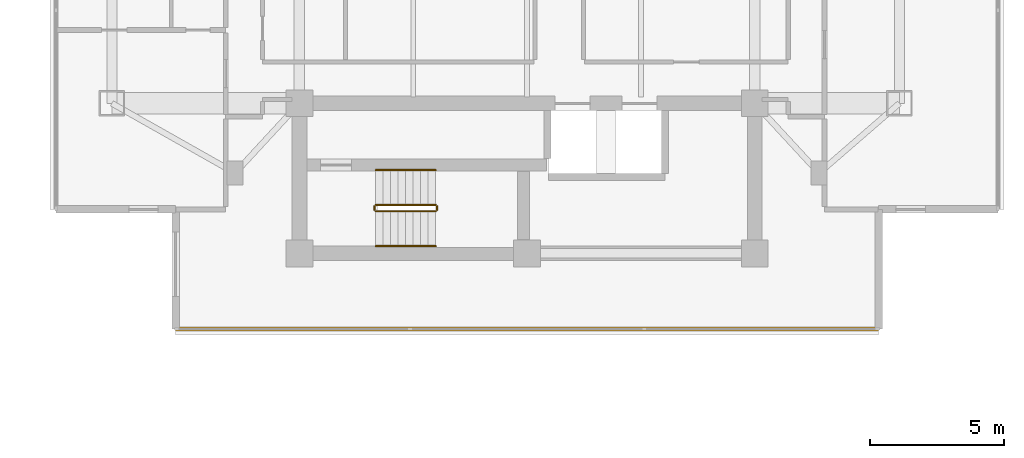
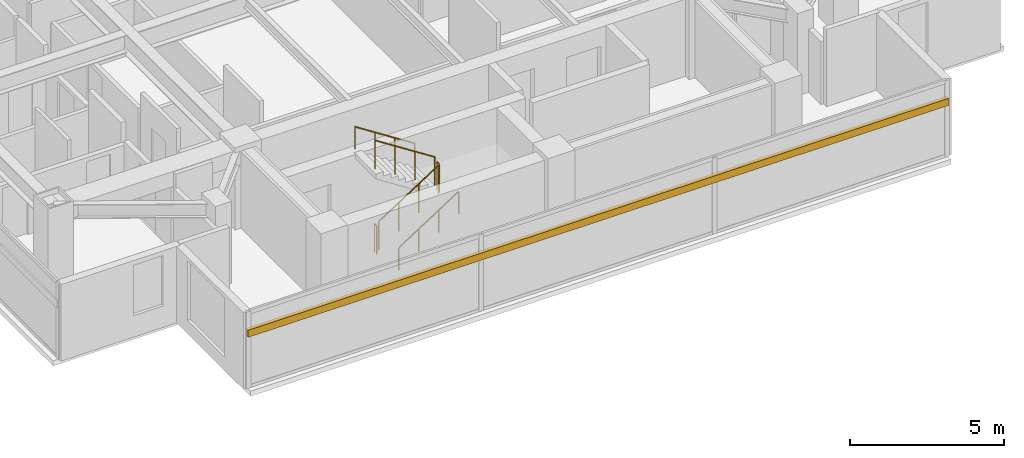
# One storey, part 22 of 24: 6 railings, 1 shading device.
"""IFC4 building model written with IfcOpenShell, lengths in metres."""

from ifc_helpers import new_model, si_unit, direction, frame, origin, origin_2d, place, context, subcontext, project, spatial, rectangle, circle, extrude, material, material_profile, profile_set, type_object, element, save


model = new_model("IFC4")

# Units and contexts
model_context = context("Model", 3, precision=1e-05, world=origin(), true_north=direction((0.0, 1.0)))
body_context = subcontext(model_context, "Body", "Model", "MODEL_VIEW")
ifc_project = project(units=[si_unit("LENGTHUNIT", "METRE"), si_unit("AREAUNIT", "SQUARE_METRE"), si_unit("VOLUMEUNIT", "CUBIC_METRE"), si_unit("PLANEANGLEUNIT", "RADIAN"), si_unit("MASSUNIT", "GRAM", prefix="KILO")], contexts=[model_context])

# Site, building, storey
site_placement = place(None, origin())
site = spatial("IfcSite", under=ifc_project, at=site_placement, CompositionType="ELEMENT")
building_placement = place(site_placement, origin())
building = spatial("IfcBuilding", under=site, at=building_placement, Name="Mirazonda Arch Towers", CompositionType="ELEMENT")
storey_placement = place(building_placement, frame((0.0, 0.0, 167.39990234375)))
storey = spatial("IfcBuildingStorey", under=building, at=storey_placement, Name="L47", CompositionType="ELEMENT", Elevation=167.39990234375)

# Shading device
ifc_material_1 = material(Name="Kiln-Fired Architectural Terracotta", Category="masonry")
ifc_material_profile = material_profile(ifc_material_1, rectangle(XDim=0.139892578125, YDim=0.280029296875, at=origin_2d()), Name="TERRA-BAG-140x280")
ifc_profile_set = profile_set([ifc_material_profile], Name="Kiln-Fired Architectural Terracotta")
shading_device_type = type_object("IfcShadingDeviceType", Name="BAGUETTE-3", PredefinedType="USERDEFINED", material=ifc_profile_set)
shading_device_placement = place(storey_placement, frame((89.619384765625, 12.375244140625, 2.181640625), z_axis=(-1.0, 0.0, 0.0), x_axis=(0.0, -1.0, 0.0)))
element("IfcShadingDevice", 1, at=shading_device_placement, inside=storey, type_object=shading_device_type, Name="L47 Glazed Terracotta Sun-Screen Baguette CW-L47-T2-S", ObjectType="BAGUETTE", PredefinedType="USERDEFINED", context=body_context, shape_type="SweptSolid", body=[
    extrude(rectangle(XDim=0.139892578125, YDim=0.280029296875, at=origin_2d()), origin(), (0.0, 0.0, 1.0), 26.23876953125),
])

# Railings
ifc_material_2 = material(Name="Architectural Brushed Steel S355", Category="steel")
railing_type_1 = type_object("IfcRailingType", Name="GUARD-STAIR-1120", PredefinedType="GUARDRAIL", material=ifc_material_2)
railing_1_placement = place(storey_placement, frame((70.85009765625, 16.77001953125, 0.1806640625)))
element("IfcRailing", 2, at=railing_1_placement, inside=storey, type_object=railing_type_1, Name="L47 ST-T2S stair guard 1", PredefinedType="GUARDRAIL", context=body_context, shape_type="SweptSolid", body=[
    extrude(circle(Radius=0.02392578125, at=origin_2d()), frame((0.0, 0.0, 1.1259765625), z_axis=(0.840436612492, 0.0, 0.541909863706), x_axis=(0.0, 1.0, 0.0)), (0.0, 0.0, 1.0), 2.665283203125),
    extrude(circle(Radius=0.02099609375, at=origin_2d()), origin(), (0.0, 0.0, 1.0), 1.101806640625),
    extrude(circle(Radius=0.02099609375, at=origin_2d()), frame((0.74658203125, 0.0, 0.4814453125)), (0.0, 0.0, 1.0), 1.101806640625),
    extrude(circle(Radius=0.02099609375, at=origin_2d()), frame((1.493408203125, 0.0, 0.962890625)), (0.0, 0.0, 1.0), 1.101806640625),
    extrude(circle(Radius=0.02099609375, at=origin_2d()), frame((2.239990234375, 0.0, 1.4443359375)), (0.0, 0.0, 1.0), 1.101806640625),
])
railing_2_placement = place(storey_placement, frame((73.139892578125, 16.820068359375, 1.625)))
element("IfcRailing", 3, at=railing_2_placement, inside=storey, type_object=railing_type_1, Name="L47 ST-T2S stair guard 2", PredefinedType="GUARDRAIL", context=body_context, shape_type="SweptSolid", body=[
    extrude(circle(Radius=0.02392578125, at=origin_2d()), frame((0.0, 0.0, 1.1259765625), z_axis=(0.0, 1.0, 0.0), x_axis=(-1.0, 0.0, 0.0)), (0.0, 0.0, 1.0), 0.139892578125),
    extrude(circle(Radius=0.02099609375, at=origin_2d()), origin(), (0.0, 0.0, 1.0), 1.101806640625),
    extrude(circle(Radius=0.02099609375, at=origin_2d()), frame((0.0, 0.139892578125, 0.0)), (0.0, 0.0, 1.0), 1.101806640625),
])
railing_3_placement = place(storey_placement, frame((73.090087890625, 17.010009765625, 1.8056640625)))
element("IfcRailing", 4, at=railing_3_placement, inside=storey, type_object=railing_type_1, Name="L47 ST-T2S stair guard 3", PredefinedType="GUARDRAIL", context=body_context, shape_type="SweptSolid", body=[
    extrude(circle(Radius=0.02392578125, at=origin_2d()), frame((0.0, 0.0, 1.1259765625), z_axis=(-0.840436612492, 0.0, 0.541909863706), x_axis=(0.0, -1.0, 0.0)), (0.0, 0.0, 1.0), 2.665283203125),
    extrude(circle(Radius=0.02099609375, at=origin_2d()), origin(), (0.0, 0.0, 1.0), 1.101806640625),
    extrude(circle(Radius=0.02099609375, at=origin_2d()), frame((-0.74658203125, 0.0, 0.4814453125)), (0.0, 0.0, 1.0), 1.101806640625),
    extrude(circle(Radius=0.02099609375, at=origin_2d()), frame((-1.493408203125, 0.0, 0.962890625)), (0.0, 0.0, 1.0), 1.101806640625),
    extrude(circle(Radius=0.02099609375, at=origin_2d()), frame((-2.239990234375, 0.0, 1.4443359375)), (0.0, 0.0, 1.0), 1.101806640625),
])
railing_4_placement = place(storey_placement, frame((70.800048828125, 16.820068359375, 0.0)))
element("IfcRailing", 5, at=railing_4_placement, inside=storey, type_object=railing_type_1, Name="L47 ST-T2S stair guard 4", PredefinedType="GUARDRAIL", context=body_context, shape_type="SweptSolid", body=[
    extrude(circle(Radius=0.02392578125, at=origin_2d()), frame((0.0, 0.0, 1.1259765625), z_axis=(0.0, 1.0, 0.0), x_axis=(-1.0, 0.0, 0.0)), (0.0, 0.0, 1.0), 0.139892578125),
    extrude(circle(Radius=0.02099609375, at=origin_2d()), origin(), (0.0, 0.0, 1.0), 1.101806640625),
    extrude(circle(Radius=0.02099609375, at=origin_2d()), frame((0.0, 0.139892578125, 0.0)), (0.0, 0.0, 1.0), 1.101806640625),
])
railing_type_2 = type_object("IfcRailingType", Name="HANDRAIL-915", PredefinedType="HANDRAIL", material=ifc_material_2)
railing_5_placement = place(storey_placement, frame((70.85009765625, 15.469970703125, 0.1806640625)))
element("IfcRailing", 6, at=railing_5_placement, inside=storey, type_object=railing_type_2, Name="L47 ST-T2S stair handrail 1", PredefinedType="HANDRAIL", context=body_context, shape_type="SweptSolid", body=[
    extrude(circle(Radius=0.02392578125, at=origin_2d()), frame((0.0, 0.0, 0.8759765625), z_axis=(0.840436612492, 0.0, 0.541909863706), x_axis=(0.0, 1.0, 0.0)), (0.0, 0.0, 1.0), 2.665283203125),
    extrude(circle(Radius=0.02099609375, at=origin_2d()), origin(), (0.0, 0.0, 1.0), 0.851806640625),
    extrude(circle(Radius=0.02099609375, at=origin_2d()), frame((0.74658203125, 0.0, 0.4814453125)), (0.0, 0.0, 1.0), 0.851806640625),
    extrude(circle(Radius=0.02099609375, at=origin_2d()), frame((1.493408203125, 0.0, 0.962890625)), (0.0, 0.0, 1.0), 0.851806640625),
    extrude(circle(Radius=0.02099609375, at=origin_2d()), frame((2.239990234375, 0.0, 1.4443359375)), (0.0, 0.0, 1.0), 0.851806640625),
])
railing_6_placement = place(storey_placement, frame((73.090087890625, 18.31005859375, 1.8056640625)))
element("IfcRailing", 7, at=railing_6_placement, inside=storey, type_object=railing_type_2, Name="L47 ST-T2S stair handrail 2", PredefinedType="HANDRAIL", context=body_context, shape_type="SweptSolid", body=[
    extrude(circle(Radius=0.02392578125, at=origin_2d()), frame((0.0, 0.0, 0.8759765625), z_axis=(-0.840436612492, 0.0, 0.541909863706), x_axis=(0.0, -1.0, 0.0)), (0.0, 0.0, 1.0), 2.665283203125),
    extrude(circle(Radius=0.02099609375, at=origin_2d()), origin(), (0.0, 0.0, 1.0), 0.851806640625),
    extrude(circle(Radius=0.02099609375, at=origin_2d()), frame((-0.74658203125, 0.0, 0.4814453125)), (0.0, 0.0, 1.0), 0.851806640625),
    extrude(circle(Radius=0.02099609375, at=origin_2d()), frame((-1.493408203125, 0.0, 0.962890625)), (0.0, 0.0, 1.0), 0.851806640625),
    extrude(circle(Radius=0.02099609375, at=origin_2d()), frame((-2.239990234375, 0.0, 1.4443359375)), (0.0, 0.0, 1.0), 0.851806640625),
])

save(model, "model.ifc")
